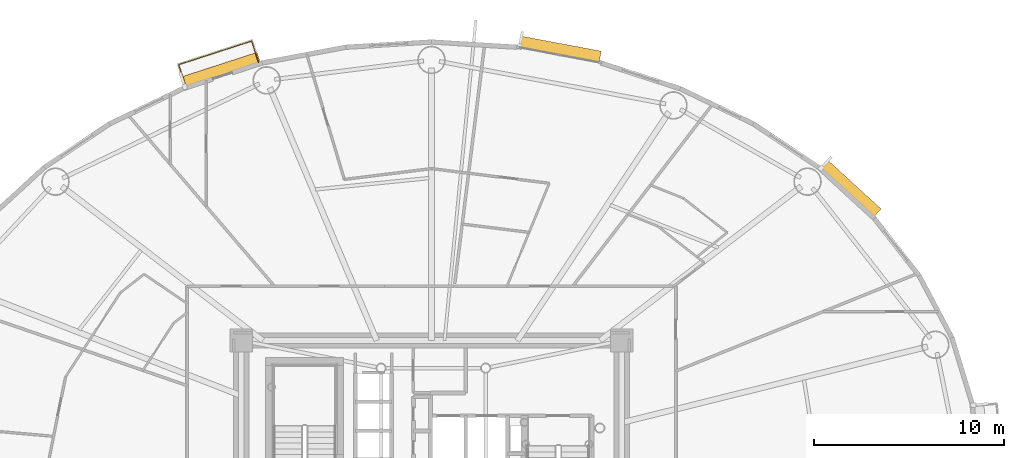
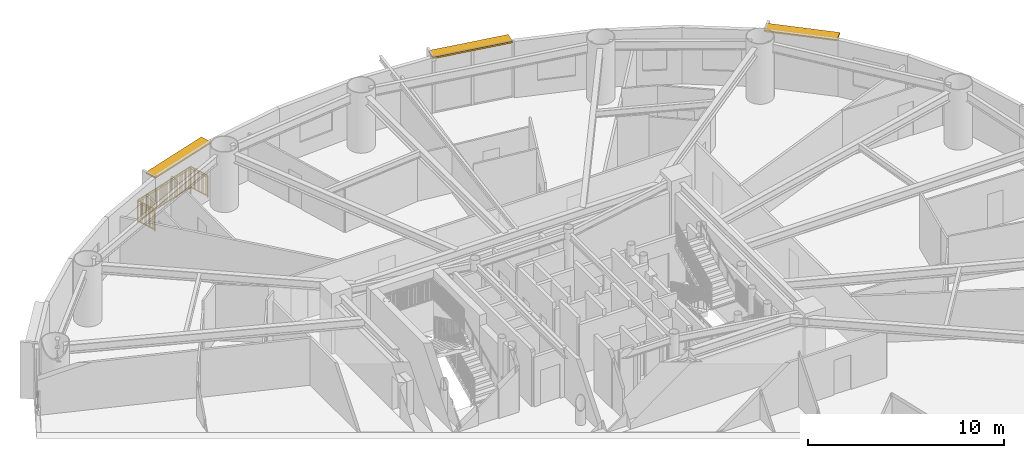
# One storey, part 18 of 18: 3 shading devices, 1 railing.
"""IFC4 building model written with IfcOpenShell, lengths in metres."""

from ifc_helpers import new_model, si_unit, direction, frame, origin, origin_2d, place, context, subcontext, project, spatial, rectangle, extrude, source, transform, mapped, material, layer, layer_set, type_object, element, save


model = new_model("IFC4")

# Units and contexts
model_context = context("Model", 3, precision=1e-05, world=origin(), true_north=direction((0.0, 1.0)))
body_context = subcontext(model_context, "Body", "Model", "MODEL_VIEW")
ifc_project = project(units=[si_unit("LENGTHUNIT", "METRE"), si_unit("AREAUNIT", "SQUARE_METRE"), si_unit("VOLUMEUNIT", "CUBIC_METRE"), si_unit("PLANEANGLEUNIT", "RADIAN"), si_unit("MASSUNIT", "GRAM", prefix="KILO")], contexts=[model_context])

# Site, building, storey
site_placement = place(None, origin())
site = spatial("IfcSite", under=ifc_project, at=site_placement, CompositionType="ELEMENT")
building_placement = place(site_placement, origin())
building = spatial("IfcBuilding", under=site, at=building_placement, Name="Linh Dai School and Residence Tower", CompositionType="ELEMENT")
storey_placement = place(building_placement, frame((0.0, 0.0, 104.699951171875)))
storey = spatial("IfcBuildingStorey", under=building, at=storey_placement, Name="L24", CompositionType="ELEMENT", Elevation=104.699951171875)

# Shading devices
ifc_material_1 = material(Name="Terracotta Ceramic Sunshade", Category="masonry")
ifc_layer = layer(ifc_material_1, 0.10009765625)
ifc_layer_set = layer_set([ifc_layer], Name="Terracotta Ceramic Sunshade")
shading_device_type = type_object("IfcShadingDeviceType", Name="SHD-TC-650", PredefinedType="USERDEFINED", material=ifc_layer_set)
shared_shape_1 = source(origin(), body_context, "Body", "SweptSolid", [
    extrude(rectangle(XDim=3.81689453125, YDim=0.64990234375, at=origin_2d()), origin(), (0.0, 0.0, 1.0), 0.10009765625),
])
shading_device_1_placement = place(storey_placement, frame((58.016357421875, 41.77001953125, 3.3798828125), z_axis=(0.0, 0.0, 1.0), x_axis=(0.737100266172, -0.675783395482, 0.0)))
element("IfcShadingDevice", 1, at=shading_device_1_placement, inside=storey, type_object=shading_device_type, Name="L24 Terracotta Horizontal Sunshade Band 05", ObjectType="SUNSHADE", PredefinedType="USERDEFINED", context=body_context, shape_type="MappedRepresentation", body=[
    mapped(shared_shape_1, transform((0.0, 0.0, 0.0), x_axis=(1.0, 0.0, 0.0), y_axis=(0.0, 1.0, 0.0), z_axis=(0.0, 0.0, 1.0), scale=1.0)),
])
shared_shape_2 = source(origin(), body_context, "Body", "SweptSolid", [
    extrude(rectangle(XDim=4.292236328125, YDim=0.64990234375, at=origin_2d()), origin(), (0.0, 0.0, 1.0), 0.10009765625),
])
shading_device_2_placement = place(storey_placement, frame((42.75537109375, 49.094482421875, 3.3798828125), z_axis=(0.0, 0.0, 1.0), x_axis=(0.982784673718, -0.18475466193, 0.0)))
element("IfcShadingDevice", 2, at=shading_device_2_placement, inside=storey, type_object=shading_device_type, Name="L24 Terracotta Horizontal Sunshade Band 09", ObjectType="SUNSHADE", PredefinedType="USERDEFINED", context=body_context, shape_type="MappedRepresentation", body=[
    mapped(shared_shape_2, transform((0.0, 0.0, 0.0), x_axis=(1.0, 0.0, 0.0), y_axis=(0.0, 1.0, 0.0), z_axis=(0.0, 0.0, 1.0), scale=1.0)),
])

# Railing
ifc_material_2 = material(Name="Structural Steel S355JR", Category="steel")
railing_type = type_object("IfcRailingType", Name="RL-BAL-1400", PredefinedType="BALUSTRADE", material=ifc_material_2)
shared_shape_3 = source(origin(), body_context, "Body", "SweptSolid", [
    extrude(rectangle(XDim=0.048095703125, YDim=0.048095703125, at=origin_2d()), frame((0.0, 0.0, 1.3759765625), z_axis=(-0.30851987862, 0.951217895383, 0.0), x_axis=(-0.951217895383, -0.30851987862, 0.0)), (0.0, 0.0, 1.0), 1.179931640625),
    extrude(rectangle(XDim=0.048095703125, YDim=0.048095703125, at=origin_2d()), frame((0.0, 0.0, 0.10009765625), z_axis=(-0.30851987862, 0.951217895383, 0.0), x_axis=(-0.951217895383, -0.30851987862, 0.0)), (0.0, 0.0, 1.0), 1.179931640625),
    extrude(rectangle(XDim=0.030029296875, YDim=0.030029296875, at=origin_2d()), frame((0.0, 0.0, 1.239990234375), z_axis=(-0.30851987862, 0.951217895383, 0.0), x_axis=(-0.951217895383, -0.30851987862, 0.0)), (0.0, 0.0, 1.0), 1.179931640625),
    extrude(rectangle(XDim=0.02001953125, YDim=0.02001953125, at=origin_2d()), frame((-0.028076171875, 0.08642578125, 0.10009765625)), (0.0, 0.0, 1.0), 1.251708984375),
    extrude(rectangle(XDim=0.02001953125, YDim=0.02001953125, at=origin_2d()), frame((-0.055908203125, 0.172607421875, 0.10009765625)), (0.0, 0.0, 1.0), 1.251708984375),
    extrude(rectangle(XDim=0.02001953125, YDim=0.02001953125, at=origin_2d()), frame((-0.083984375, 0.259033203125, 0.10009765625)), (0.0, 0.0, 1.0), 1.251708984375),
    extrude(rectangle(XDim=0.02001953125, YDim=0.02001953125, at=origin_2d()), frame((-0.112060546875, 0.34521484375, 0.10009765625)), (0.0, 0.0, 1.0), 1.251708984375),
    extrude(rectangle(XDim=0.02001953125, YDim=0.02001953125, at=origin_2d()), frame((-0.139892578125, 0.431640625, 0.10009765625)), (0.0, 0.0, 1.0), 1.251708984375),
    extrude(rectangle(XDim=0.02001953125, YDim=0.02001953125, at=origin_2d()), frame((-0.16796875, 0.51806640625, 0.10009765625)), (0.0, 0.0, 1.0), 1.251708984375),
    extrude(rectangle(XDim=0.02001953125, YDim=0.02001953125, at=origin_2d()), frame((-0.196044921875, 0.604248046875, 0.10009765625)), (0.0, 0.0, 1.0), 1.251708984375),
    extrude(rectangle(XDim=0.02001953125, YDim=0.02001953125, at=origin_2d()), frame((-0.22412109375, 0.690673828125, 0.10009765625)), (0.0, 0.0, 1.0), 1.251708984375),
    extrude(rectangle(XDim=0.02001953125, YDim=0.02001953125, at=origin_2d()), frame((-0.251953125, 0.777099609375, 0.10009765625)), (0.0, 0.0, 1.0), 1.251708984375),
    extrude(rectangle(XDim=0.02001953125, YDim=0.02001953125, at=origin_2d()), frame((-0.280029296875, 0.86328125, 0.10009765625)), (0.0, 0.0, 1.0), 1.251708984375),
    extrude(rectangle(XDim=0.02001953125, YDim=0.02001953125, at=origin_2d()), frame((-0.30810546875, 0.94970703125, 0.10009765625)), (0.0, 0.0, 1.0), 1.251708984375),
    extrude(rectangle(XDim=0.02001953125, YDim=0.02001953125, at=origin_2d()), frame((-0.3359375, 1.035888671875, 0.10009765625)), (0.0, 0.0, 1.0), 1.251708984375),
    extrude(rectangle(XDim=0.048095703125, YDim=0.048095703125, at=origin_2d()), frame((-0.364013671875, 1.122314453125, 1.3759765625), z_axis=(0.951209839709, 0.308544714492, 0.0), x_axis=(-0.308544714492, 0.951209839709, 0.0)), (0.0, 0.0, 1.0), 4.0283203125),
    extrude(rectangle(XDim=0.048095703125, YDim=0.048095703125, at=origin_2d()), frame((-0.364013671875, 1.122314453125, 0.10009765625), z_axis=(0.951209839709, 0.308544714492, 0.0), x_axis=(-0.308544714492, 0.951209839709, 0.0)), (0.0, 0.0, 1.0), 4.0283203125),
    extrude(rectangle(XDim=0.030029296875, YDim=0.030029296875, at=origin_2d()), frame((-0.364013671875, 1.122314453125, 1.239990234375), z_axis=(0.951209839709, 0.308544714492, 0.0), x_axis=(-0.308544714492, 0.951209839709, 0.0)), (0.0, 0.0, 1.0), 4.0283203125),
    extrude(rectangle(XDim=0.02001953125, YDim=0.02001953125, at=origin_2d()), frame((-0.272705078125, 1.15185546875, 0.10009765625)), (0.0, 0.0, 1.0), 1.251708984375),
    extrude(rectangle(XDim=0.02001953125, YDim=0.02001953125, at=origin_2d()), frame((-0.181640625, 1.181396484375, 0.10009765625)), (0.0, 0.0, 1.0), 1.251708984375),
    extrude(rectangle(XDim=0.02001953125, YDim=0.02001953125, at=origin_2d()), frame((-0.09033203125, 1.211181640625, 0.10009765625)), (0.0, 0.0, 1.0), 1.251708984375),
    extrude(rectangle(XDim=0.02001953125, YDim=0.02001953125, at=origin_2d()), frame((0.0009765625, 1.24072265625, 0.10009765625)), (0.0, 0.0, 1.0), 1.251708984375),
    extrude(rectangle(XDim=0.02001953125, YDim=0.02001953125, at=origin_2d()), frame((0.092041015625, 1.270263671875, 0.10009765625)), (0.0, 0.0, 1.0), 1.251708984375),
    extrude(rectangle(XDim=0.02001953125, YDim=0.02001953125, at=origin_2d()), frame((0.183349609375, 1.2998046875, 0.10009765625)), (0.0, 0.0, 1.0), 1.251708984375),
    extrude(rectangle(XDim=0.02001953125, YDim=0.02001953125, at=origin_2d()), frame((0.274658203125, 1.32958984375, 0.10009765625)), (0.0, 0.0, 1.0), 1.251708984375),
    extrude(rectangle(XDim=0.02001953125, YDim=0.02001953125, at=origin_2d()), frame((0.365966796875, 1.359130859375, 0.10009765625)), (0.0, 0.0, 1.0), 1.251708984375),
    extrude(rectangle(XDim=0.02001953125, YDim=0.02001953125, at=origin_2d()), frame((0.45703125, 1.388671875, 0.10009765625)), (0.0, 0.0, 1.0), 1.251708984375),
    extrude(rectangle(XDim=0.02001953125, YDim=0.02001953125, at=origin_2d()), frame((0.54833984375, 1.418212890625, 0.10009765625)), (0.0, 0.0, 1.0), 1.251708984375),
    extrude(rectangle(XDim=0.02001953125, YDim=0.02001953125, at=origin_2d()), frame((0.6396484375, 1.44775390625, 0.10009765625)), (0.0, 0.0, 1.0), 1.251708984375),
    extrude(rectangle(XDim=0.02001953125, YDim=0.02001953125, at=origin_2d()), frame((0.730712890625, 1.4775390625, 0.10009765625)), (0.0, 0.0, 1.0), 1.251708984375),
    extrude(rectangle(XDim=0.02001953125, YDim=0.02001953125, at=origin_2d()), frame((0.822021484375, 1.507080078125, 0.10009765625)), (0.0, 0.0, 1.0), 1.251708984375),
    extrude(rectangle(XDim=0.02001953125, YDim=0.02001953125, at=origin_2d()), frame((0.913330078125, 1.53662109375, 0.10009765625)), (0.0, 0.0, 1.0), 1.251708984375),
    extrude(rectangle(XDim=0.02001953125, YDim=0.02001953125, at=origin_2d()), frame((1.00439453125, 1.566162109375, 0.10009765625)), (0.0, 0.0, 1.0), 1.251708984375),
    extrude(rectangle(XDim=0.02001953125, YDim=0.02001953125, at=origin_2d()), frame((1.095703125, 1.595703125, 0.10009765625)), (0.0, 0.0, 1.0), 1.251708984375),
    extrude(rectangle(XDim=0.02001953125, YDim=0.02001953125, at=origin_2d()), frame((1.18701171875, 1.62548828125, 0.10009765625)), (0.0, 0.0, 1.0), 1.251708984375),
    extrude(rectangle(XDim=0.02001953125, YDim=0.02001953125, at=origin_2d()), frame((1.278076171875, 1.655029296875, 0.10009765625)), (0.0, 0.0, 1.0), 1.251708984375),
    extrude(rectangle(XDim=0.02001953125, YDim=0.02001953125, at=origin_2d()), frame((1.369384765625, 1.6845703125, 0.10009765625)), (0.0, 0.0, 1.0), 1.251708984375),
    extrude(rectangle(XDim=0.02001953125, YDim=0.02001953125, at=origin_2d()), frame((1.460693359375, 1.714111328125, 0.10009765625)), (0.0, 0.0, 1.0), 1.251708984375),
    extrude(rectangle(XDim=0.02001953125, YDim=0.02001953125, at=origin_2d()), frame((1.64306640625, 1.7734375, 0.10009765625)), (0.0, 0.0, 1.0), 1.251708984375),
    extrude(rectangle(XDim=0.02001953125, YDim=0.02001953125, at=origin_2d()), frame((1.734375, 1.802978515625, 0.10009765625)), (0.0, 0.0, 1.0), 1.251708984375),
    extrude(rectangle(XDim=0.02001953125, YDim=0.02001953125, at=origin_2d()), frame((1.82568359375, 1.83251953125, 0.10009765625)), (0.0, 0.0, 1.0), 1.251708984375),
    extrude(rectangle(XDim=0.02001953125, YDim=0.02001953125, at=origin_2d()), frame((1.916748046875, 1.862060546875, 0.10009765625)), (0.0, 0.0, 1.0), 1.251708984375),
    extrude(rectangle(XDim=0.02001953125, YDim=0.02001953125, at=origin_2d()), frame((2.008056640625, 1.891845703125, 0.10009765625)), (0.0, 0.0, 1.0), 1.251708984375),
    extrude(rectangle(XDim=0.02001953125, YDim=0.02001953125, at=origin_2d()), frame((2.099365234375, 1.92138671875, 0.10009765625)), (0.0, 0.0, 1.0), 1.251708984375),
    extrude(rectangle(XDim=0.02001953125, YDim=0.02001953125, at=origin_2d()), frame((2.1904296875, 1.950927734375, 0.10009765625)), (0.0, 0.0, 1.0), 1.251708984375),
    extrude(rectangle(XDim=0.02001953125, YDim=0.02001953125, at=origin_2d()), frame((2.28173828125, 1.98046875, 0.10009765625)), (0.0, 0.0, 1.0), 1.251708984375),
    extrude(rectangle(XDim=0.02001953125, YDim=0.02001953125, at=origin_2d()), frame((2.373046875, 2.010009765625, 0.10009765625)), (0.0, 0.0, 1.0), 1.251708984375),
    extrude(rectangle(XDim=0.02001953125, YDim=0.02001953125, at=origin_2d()), frame((2.464111328125, 2.039794921875, 0.10009765625)), (0.0, 0.0, 1.0), 1.251708984375),
    extrude(rectangle(XDim=0.02001953125, YDim=0.02001953125, at=origin_2d()), frame((2.555419921875, 2.0693359375, 0.10009765625)), (0.0, 0.0, 1.0), 1.251708984375),
    extrude(rectangle(XDim=0.02001953125, YDim=0.02001953125, at=origin_2d()), frame((2.646728515625, 2.098876953125, 0.10009765625)), (0.0, 0.0, 1.0), 1.251708984375),
    extrude(rectangle(XDim=0.02001953125, YDim=0.02001953125, at=origin_2d()), frame((2.73779296875, 2.12841796875, 0.10009765625)), (0.0, 0.0, 1.0), 1.251708984375),
    extrude(rectangle(XDim=0.02001953125, YDim=0.02001953125, at=origin_2d()), frame((2.8291015625, 2.158203125, 0.10009765625)), (0.0, 0.0, 1.0), 1.251708984375),
    extrude(rectangle(XDim=0.02001953125, YDim=0.02001953125, at=origin_2d()), frame((2.92041015625, 2.187744140625, 0.10009765625)), (0.0, 0.0, 1.0), 1.251708984375),
    extrude(rectangle(XDim=0.02001953125, YDim=0.02001953125, at=origin_2d()), frame((3.01171875, 2.21728515625, 0.10009765625)), (0.0, 0.0, 1.0), 1.251708984375),
    extrude(rectangle(XDim=0.02001953125, YDim=0.02001953125, at=origin_2d()), frame((3.102783203125, 2.246826171875, 0.10009765625)), (0.0, 0.0, 1.0), 1.251708984375),
    extrude(rectangle(XDim=0.02001953125, YDim=0.02001953125, at=origin_2d()), frame((3.194091796875, 2.2763671875, 0.10009765625)), (0.0, 0.0, 1.0), 1.251708984375),
    extrude(rectangle(XDim=0.02001953125, YDim=0.02001953125, at=origin_2d()), frame((3.285400390625, 2.30615234375, 0.10009765625)), (0.0, 0.0, 1.0), 1.251708984375),
    extrude(rectangle(XDim=0.02001953125, YDim=0.02001953125, at=origin_2d()), frame((3.37646484375, 2.335693359375, 0.10009765625)), (0.0, 0.0, 1.0), 1.251708984375),
    extrude(rectangle(XDim=0.048095703125, YDim=0.048095703125, at=origin_2d()), frame((3.4677734375, 2.365234375, 1.3759765625), z_axis=(0.308459164781, -0.951237585287, 0.0), x_axis=(0.951237585287, 0.308459164781, 0.0)), (0.0, 0.0, 1.0), 1.18017578125),
    extrude(rectangle(XDim=0.048095703125, YDim=0.048095703125, at=origin_2d()), frame((3.4677734375, 2.365234375, 0.10009765625), z_axis=(0.308459164781, -0.951237585287, 0.0), x_axis=(0.951237585287, 0.308459164781, 0.0)), (0.0, 0.0, 1.0), 1.18017578125),
    extrude(rectangle(XDim=0.030029296875, YDim=0.030029296875, at=origin_2d()), frame((3.4677734375, 2.365234375, 1.239990234375), z_axis=(0.308459164781, -0.951237585287, 0.0), x_axis=(0.951237585287, 0.308459164781, 0.0)), (0.0, 0.0, 1.0), 1.18017578125),
    extrude(rectangle(XDim=0.02001953125, YDim=0.02001953125, at=origin_2d()), frame((3.495849609375, 2.27880859375, 0.10009765625)), (0.0, 0.0, 1.0), 1.251708984375),
    extrude(rectangle(XDim=0.02001953125, YDim=0.02001953125, at=origin_2d()), frame((3.523681640625, 2.192626953125, 0.10009765625)), (0.0, 0.0, 1.0), 1.251708984375),
    extrude(rectangle(XDim=0.02001953125, YDim=0.02001953125, at=origin_2d()), frame((3.5517578125, 2.106201171875, 0.10009765625)), (0.0, 0.0, 1.0), 1.251708984375),
    extrude(rectangle(XDim=0.02001953125, YDim=0.02001953125, at=origin_2d()), frame((3.579833984375, 2.019775390625, 0.10009765625)), (0.0, 0.0, 1.0), 1.251708984375),
    extrude(rectangle(XDim=0.02001953125, YDim=0.02001953125, at=origin_2d()), frame((3.607666015625, 1.93359375, 0.10009765625)), (0.0, 0.0, 1.0), 1.251708984375),
    extrude(rectangle(XDim=0.02001953125, YDim=0.02001953125, at=origin_2d()), frame((3.6357421875, 1.84716796875, 0.10009765625)), (0.0, 0.0, 1.0), 1.251708984375),
    extrude(rectangle(XDim=0.02001953125, YDim=0.02001953125, at=origin_2d()), frame((3.663818359375, 1.7607421875, 0.10009765625)), (0.0, 0.0, 1.0), 1.251708984375),
    extrude(rectangle(XDim=0.02001953125, YDim=0.02001953125, at=origin_2d()), frame((3.69189453125, 1.67431640625, 0.10009765625)), (0.0, 0.0, 1.0), 1.251708984375),
    extrude(rectangle(XDim=0.02001953125, YDim=0.02001953125, at=origin_2d()), frame((3.7197265625, 1.588134765625, 0.10009765625)), (0.0, 0.0, 1.0), 1.251708984375),
    extrude(rectangle(XDim=0.02001953125, YDim=0.02001953125, at=origin_2d()), frame((3.747802734375, 1.501708984375, 0.10009765625)), (0.0, 0.0, 1.0), 1.251708984375),
    extrude(rectangle(XDim=0.02001953125, YDim=0.02001953125, at=origin_2d()), frame((3.77587890625, 1.415283203125, 0.10009765625)), (0.0, 0.0, 1.0), 1.251708984375),
    extrude(rectangle(XDim=0.02001953125, YDim=0.02001953125, at=origin_2d()), frame((3.8037109375, 1.3291015625, 0.10009765625)), (0.0, 0.0, 1.0), 1.251708984375),
    extrude(rectangle(XDim=0.0419921875, YDim=0.0419921875, at=origin_2d()), origin(), (0.0, 0.0, 1.0), 1.3759765625),
    extrude(rectangle(XDim=0.0419921875, YDim=0.0419921875, at=origin_2d()), frame((-0.364013671875, 1.122314453125, 0.0)), (0.0, 0.0, 1.0), 1.3759765625),
    extrude(rectangle(XDim=0.0419921875, YDim=0.0419921875, at=origin_2d()), frame((0.593994140625, 1.43310546875, 0.0)), (0.0, 0.0, 1.0), 1.3759765625),
    extrude(rectangle(XDim=0.0419921875, YDim=0.0419921875, at=origin_2d()), frame((1.5517578125, 1.74365234375, 0.0)), (0.0, 0.0, 1.0), 1.3759765625),
    extrude(rectangle(XDim=0.0419921875, YDim=0.0419921875, at=origin_2d()), frame((2.509765625, 2.054443359375, 0.0)), (0.0, 0.0, 1.0), 1.3759765625),
    extrude(rectangle(XDim=0.0419921875, YDim=0.0419921875, at=origin_2d()), frame((3.4677734375, 2.365234375, 0.0)), (0.0, 0.0, 1.0), 1.3759765625),
    extrude(rectangle(XDim=0.0419921875, YDim=0.0419921875, at=origin_2d()), frame((3.831787109375, 1.24267578125, 0.0)), (0.0, 0.0, 1.0), 1.3759765625),
])
railing_placement = place(storey_placement, frame((23.071044921875, 47.183837890625, 0.0)))
element("IfcRailing", 3, at=railing_placement, inside=storey, type_object=railing_type, Name="L24 Balcony Safety Balustrade 13", PredefinedType="BALUSTRADE", context=body_context, shape_type="MappedRepresentation", body=[
    mapped(shared_shape_3, transform((0.0, 0.0, 0.0), x_axis=(1.0, 0.0, 0.0), y_axis=(0.0, 1.0, 0.0), z_axis=(0.0, 0.0, 1.0), scale=1.0)),
])

# Shading device
shared_shape_4 = source(origin(), body_context, "Body", "SweptSolid", [
    extrude(rectangle(XDim=4.212890625, YDim=0.64990234375, at=origin_2d()), origin(), (0.0, 0.0, 1.0), 0.10009765625),
])
shading_device_3_placement = place(storey_placement, frame((24.92529296875, 47.995361328125, 3.3798828125), z_axis=(0.0, 0.0, 1.0), x_axis=(0.951217089442, 0.308522363457, 0.0)))
element("IfcShadingDevice", 4, at=shading_device_3_placement, inside=storey, type_object=shading_device_type, Name="L24 Terracotta Horizontal Sunshade Band 13", ObjectType="SUNSHADE", PredefinedType="USERDEFINED", context=body_context, shape_type="MappedRepresentation", body=[
    mapped(shared_shape_4, transform((0.0, 0.0, 0.0), x_axis=(1.0, 0.0, 0.0), y_axis=(0.0, 1.0, 0.0), z_axis=(0.0, 0.0, 1.0), scale=1.0)),
])

save(model, "model.ifc")
